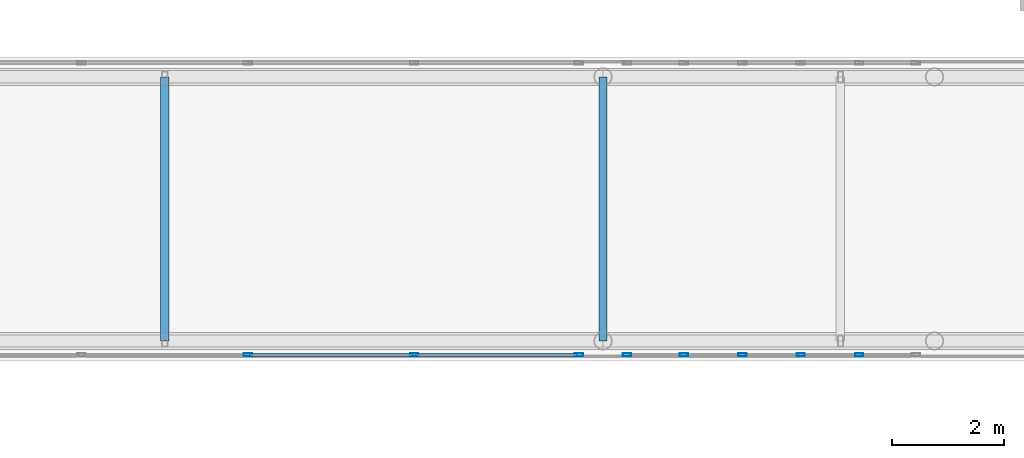
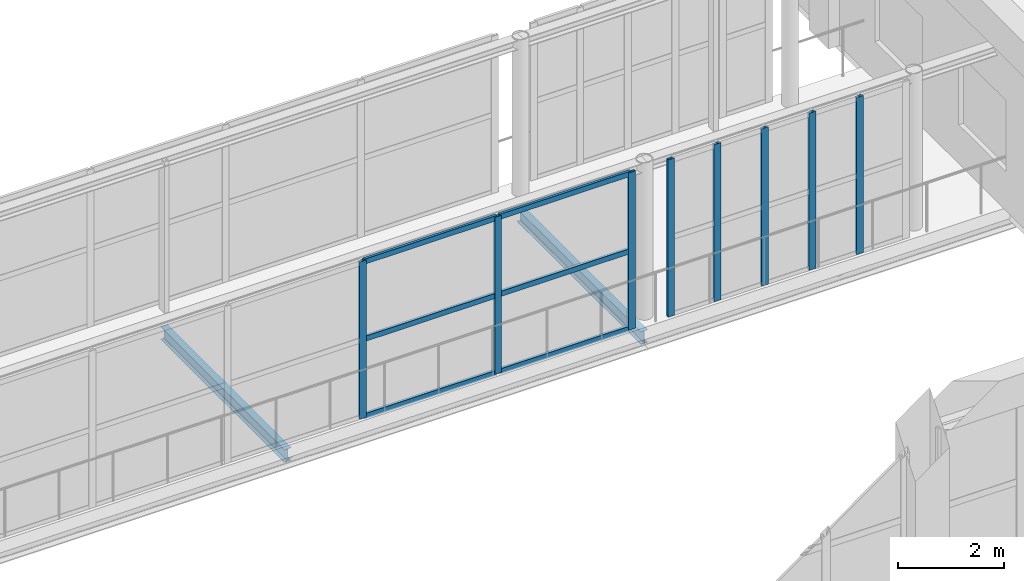
# One storey, part 54 of 175: 14 members, 2 beams, 2 elements without a shape of their own.
"""IFC4 building model written with IfcOpenShell, lengths in metres."""

from ifc_helpers import new_model, si_unit, direction, frame, origin, origin_2d, place, context, subcontext, project, spatial, hollow_rectangle, i_section, extrude, material, layer, layer_set, material_profile, profile_set, type_object, element, aggregate, save


model = new_model("IFC4")

# Units and contexts
model_context = context("Model", 3, precision=1e-05, world=origin(), true_north=direction((0.0, 1.0)))
body_context = subcontext(model_context, "Body", "Model", "MODEL_VIEW")
ifc_project = project(units=[si_unit("LENGTHUNIT", "METRE"), si_unit("AREAUNIT", "SQUARE_METRE"), si_unit("VOLUMEUNIT", "CUBIC_METRE"), si_unit("PLANEANGLEUNIT", "RADIAN"), si_unit("MASSUNIT", "GRAM", prefix="KILO")], contexts=[model_context])

# Site, building, storey
site_placement = place(None, origin())
site = spatial("IfcSite", under=ifc_project, at=site_placement, CompositionType="ELEMENT")
building_placement = place(site_placement, origin())
building = spatial("IfcBuilding", under=site, at=building_placement, Name="Zizhar Promenade General Hospital", CompositionType="ELEMENT")
storey_placement = place(building_placement, frame((0.0, 0.0, 4.800048828125)))
storey = spatial("IfcBuildingStorey", under=building, at=storey_placement, Name="L01", CompositionType="ELEMENT", Elevation=4.800048828125)

# Beams
ifc_material_1 = material(Name="Steel S355", Category="steel")
ifc_material_profile_1 = material_profile(ifc_material_1, i_section(OverallWidth=0.14990234375, OverallDepth=0.300048828125, WebThickness=0.007080078125, FlangeThickness=0.0107421875, FilletRadius=0.014892578125, at=origin_2d()))
ifc_profile_set_1 = profile_set([ifc_material_profile_1], Name="Steel S355")
beam_type = type_object("IfcBeamType", Name="BM-STL-IPE300", PredefinedType="JOIST", material=ifc_profile_set_1)
for number, where, z_axis, x_axis, name in (
    (1, (109.199951171875, 60.949951171875, -0.5), (0.0, 1.0, 0.0), (-1.0, 0.0, 0.0), "SB-1 Transverse Deck Beam 109.2"),
    (2, (117.0, 60.949951171875, -0.5), (0.0, 1.0, 0.0), (-1.0, 0.0, 0.0), "SB-1 Transverse Deck Beam 117.0"),
):
    element("IfcBeam", number, at=place(storey_placement, frame(where, z_axis=z_axis, x_axis=x_axis)), inside=storey, type_object=beam_type, Name=name, PredefinedType="JOIST", context=body_context, shape_type="SweptSolid", body=[
        extrude(i_section(OverallWidth=0.14990234375, OverallDepth=0.300048828125, WebThickness=0.007080078125, FlangeThickness=0.0107421875, FilletRadius=0.014892578125, at=origin_2d()), origin(), (0.0, 0.0, 1.0), 4.699951171875),
    ])

# Curtain wall, members
ifc_material_2 = material(Name="Anodised aluminium 6063-T6 and low-E glass", Category="aluminium")
ifc_layer = layer(ifc_material_2, 0.159912109375)
ifc_layer_set = layer_set([ifc_layer], Name="Anodised aluminium 6063-T6 and low-E glass")
curtain_wall_type = type_object("IfcCurtainWallType", Name="CW-SKY-GLZ", PredefinedType="NOTDEFINED", material=ifc_layer_set)
curtain_wall_1_placement = place(storey_placement, origin())
curtain_wall_1 = element("IfcCurtainWall", 3, at=curtain_wall_1_placement, inside=storey, type_object=curtain_wall_type, Name="Courtyard Clinical Skybridge Level L01 South Glazing 3", PredefinedType="NOTDEFINED")
ifc_material_3 = material(Name="Anodised aluminium 6063-T6", Category="aluminium")
ifc_material_profile_2 = material_profile(ifc_material_3, hollow_rectangle(XDim=0.06005859375, YDim=0.14990234375, WallThickness=0.00390625, at=origin_2d()))
ifc_profile_set_2 = profile_set([ifc_material_profile_2], Name="Anodised aluminium 6063-T6")
member_type_1 = type_object("IfcMemberType", Name="CWM-ALU-150x60", PredefinedType="MULLION", material=ifc_profile_set_2)
member_1_placement = place(storey_placement, frame((116.570068359375, 60.699951171875, 0.0), z_axis=(0.0, 0.0, 1.0), x_axis=(0.0, -1.0, 0.0)))
member_1 = element("IfcMember", 4, at=member_1_placement, type_object=member_type_1, Name="CW-15 mullion 1", PredefinedType="MULLION", context=body_context, shape_type="SweptSolid", body=[
    extrude(hollow_rectangle(XDim=0.06005859375, YDim=0.14990234375, WallThickness=0.00390625, at=origin_2d()), origin(), (0.0, 0.0, 1.0), 3.639892578125),
])
member_2_placement = place(storey_placement, frame((113.639892578125, 60.699951171875, 0.0), z_axis=(0.0, 0.0, 1.0), x_axis=(0.0, -1.0, 0.0)))
member_2 = element("IfcMember", 5, at=member_2_placement, type_object=member_type_1, Name="CW-15 mullion 2", PredefinedType="MULLION", context=body_context, shape_type="SweptSolid", body=[
    extrude(hollow_rectangle(XDim=0.06005859375, YDim=0.14990234375, WallThickness=0.00390625, at=origin_2d()), origin(), (0.0, 0.0, 1.0), 3.639892578125),
])
member_3_placement = place(storey_placement, frame((110.679931640625, 60.699951171875, 0.0), z_axis=(0.0, 0.0, 1.0), x_axis=(0.0, -1.0, 0.0)))
member_3 = element("IfcMember", 6, at=member_3_placement, type_object=member_type_1, Name="CW-15 mullion 3", PredefinedType="MULLION", context=body_context, shape_type="SweptSolid", body=[
    extrude(hollow_rectangle(XDim=0.06005859375, YDim=0.14990234375, WallThickness=0.00390625, at=origin_2d()), origin(), (0.0, 0.0, 1.0), 3.639892578125),
])

curtain_wall_2_placement = place(storey_placement, origin())
curtain_wall_2 = element("IfcCurtainWall", 7, at=curtain_wall_2_placement, inside=storey, type_object=curtain_wall_type, Name="Courtyard Clinical Skybridge Level L01 South Glazing 4", PredefinedType="NOTDEFINED")
member_4_placement = place(storey_placement, frame((121.56005859375, 60.699951171875, 0.0), z_axis=(0.0, 0.0, 1.0), x_axis=(0.0, -1.0, 0.0)))
member_4 = element("IfcMember", 8, at=member_4_placement, type_object=member_type_1, Name="CW-15 mullion 2", PredefinedType="MULLION", context=body_context, shape_type="SweptSolid", body=[
    extrude(hollow_rectangle(XDim=0.06005859375, YDim=0.14990234375, WallThickness=0.00390625, at=origin_2d()), origin(), (0.0, 0.0, 1.0), 3.639892578125),
])
member_5_placement = place(storey_placement, frame((120.52001953125, 60.699951171875, 0.0), z_axis=(0.0, 0.0, 1.0), x_axis=(0.0, -1.0, 0.0)))
member_5 = element("IfcMember", 9, at=member_5_placement, type_object=member_type_1, Name="CW-15 mullion 3", PredefinedType="MULLION", context=body_context, shape_type="SweptSolid", body=[
    extrude(hollow_rectangle(XDim=0.06005859375, YDim=0.14990234375, WallThickness=0.00390625, at=origin_2d()), origin(), (0.0, 0.0, 1.0), 3.639892578125),
])
member_6_placement = place(storey_placement, frame((119.47998046875, 60.699951171875, 0.0), z_axis=(0.0, 0.0, 1.0), x_axis=(0.0, -1.0, 0.0)))
member_6 = element("IfcMember", 10, at=member_6_placement, type_object=member_type_1, Name="CW-15 mullion 4", PredefinedType="MULLION", context=body_context, shape_type="SweptSolid", body=[
    extrude(hollow_rectangle(XDim=0.06005859375, YDim=0.14990234375, WallThickness=0.00390625, at=origin_2d()), origin(), (0.0, 0.0, 1.0), 3.639892578125),
])
member_7_placement = place(storey_placement, frame((118.43994140625, 60.699951171875, 0.0), z_axis=(0.0, 0.0, 1.0), x_axis=(0.0, -1.0, 0.0)))
member_7 = element("IfcMember", 11, at=member_7_placement, type_object=member_type_1, Name="CW-15 mullion 5", PredefinedType="MULLION", context=body_context, shape_type="SweptSolid", body=[
    extrude(hollow_rectangle(XDim=0.06005859375, YDim=0.14990234375, WallThickness=0.00390625, at=origin_2d()), origin(), (0.0, 0.0, 1.0), 3.639892578125),
])
member_8_placement = place(storey_placement, frame((117.429931640625, 60.699951171875, 0.0), z_axis=(0.0, 0.0, 1.0), x_axis=(0.0, -1.0, 0.0)))
member_8 = element("IfcMember", 12, at=member_8_placement, type_object=member_type_1, Name="CW-15 mullion 6", PredefinedType="MULLION", context=body_context, shape_type="SweptSolid", body=[
    extrude(hollow_rectangle(XDim=0.06005859375, YDim=0.14990234375, WallThickness=0.00390625, at=origin_2d()), origin(), (0.0, 0.0, 1.0), 3.639892578125),
])
aggregate(curtain_wall_2, [member_4, member_5, member_6, member_7, member_8])

# Member
ifc_material_4 = material(Name="Anodised aluminium 6063-T6", Category="aluminium")
ifc_material_profile_3 = material_profile(ifc_material_4, hollow_rectangle(XDim=0.06005859375, YDim=0.1201171875, WallThickness=0.00390625, at=origin_2d()))
ifc_profile_set_3 = profile_set([ifc_material_profile_3], Name="Anodised aluminium 6063-T6")
member_type_2 = type_object("IfcMemberType", Name="CWT-ALU-120x60", PredefinedType="USERDEFINED", material=ifc_profile_set_3)
member_9_placement = place(storey_placement, frame((116.5400390625, 60.699951171875, 0.030029296875), z_axis=(-1.0, 0.0, 0.0), x_axis=(0.0, -1.0, 0.0)))
member_9 = element("IfcMember", 13, at=member_9_placement, type_object=member_type_2, Name="CW-15 transom 1.1", ObjectType="TRANSOM", PredefinedType="USERDEFINED", context=body_context, shape_type="SweptSolid", body=[
    extrude(hollow_rectangle(XDim=0.06005859375, YDim=0.1201171875, WallThickness=0.00390625, at=origin_2d()), origin(), (0.0, 0.0, 1.0), 2.8701171875),
])

member_10_placement = place(storey_placement, frame((116.5400390625, 60.699951171875, 1.820068359375), z_axis=(-1.0, 0.0, 0.0), x_axis=(0.0, -1.0, 0.0)))
member_10 = element("IfcMember", 14, at=member_10_placement, type_object=member_type_2, Name="CW-15 transom 1.2", ObjectType="TRANSOM", PredefinedType="USERDEFINED", context=body_context, shape_type="SweptSolid", body=[
    extrude(hollow_rectangle(XDim=0.06005859375, YDim=0.1201171875, WallThickness=0.00390625, at=origin_2d()), origin(), (0.0, 0.0, 1.0), 2.8701171875),
])

member_11_placement = place(storey_placement, frame((116.5400390625, 60.699951171875, 3.60986328125), z_axis=(-1.0, 0.0, 0.0), x_axis=(0.0, -1.0, 0.0)))
member_11 = element("IfcMember", 15, at=member_11_placement, type_object=member_type_2, Name="CW-15 transom 1.3", ObjectType="TRANSOM", PredefinedType="USERDEFINED", context=body_context, shape_type="SweptSolid", body=[
    extrude(hollow_rectangle(XDim=0.06005859375, YDim=0.1201171875, WallThickness=0.00390625, at=origin_2d()), origin(), (0.0, 0.0, 1.0), 2.8701171875),
])

member_12_placement = place(storey_placement, frame((113.610107421875, 60.699951171875, 0.030029296875), z_axis=(-1.0, 0.0, 0.0), x_axis=(0.0, -1.0, 0.0)))
member_12 = element("IfcMember", 16, at=member_12_placement, type_object=member_type_2, Name="CW-15 transom 2.1", ObjectType="TRANSOM", PredefinedType="USERDEFINED", context=body_context, shape_type="SweptSolid", body=[
    extrude(hollow_rectangle(XDim=0.06005859375, YDim=0.1201171875, WallThickness=0.00390625, at=origin_2d()), origin(), (0.0, 0.0, 1.0), 2.900146484375),
])

member_13_placement = place(storey_placement, frame((113.610107421875, 60.699951171875, 1.820068359375), z_axis=(-1.0, 0.0, 0.0), x_axis=(0.0, -1.0, 0.0)))
member_13 = element("IfcMember", 17, at=member_13_placement, type_object=member_type_2, Name="CW-15 transom 2.2", ObjectType="TRANSOM", PredefinedType="USERDEFINED", context=body_context, shape_type="SweptSolid", body=[
    extrude(hollow_rectangle(XDim=0.06005859375, YDim=0.1201171875, WallThickness=0.00390625, at=origin_2d()), origin(), (0.0, 0.0, 1.0), 2.900146484375),
])

member_14_placement = place(storey_placement, frame((113.610107421875, 60.699951171875, 3.60986328125), z_axis=(-1.0, 0.0, 0.0), x_axis=(0.0, -1.0, 0.0)))
member_14 = element("IfcMember", 18, at=member_14_placement, type_object=member_type_2, Name="CW-15 transom 2.3", ObjectType="TRANSOM", PredefinedType="USERDEFINED", context=body_context, shape_type="SweptSolid", body=[
    extrude(hollow_rectangle(XDim=0.06005859375, YDim=0.1201171875, WallThickness=0.00390625, at=origin_2d()), origin(), (0.0, 0.0, 1.0), 2.900146484375),
])

aggregate(curtain_wall_1, [member_1, member_2, member_3, member_9, member_10, member_11, member_12, member_13, member_14])

save(model, "model.ifc")
